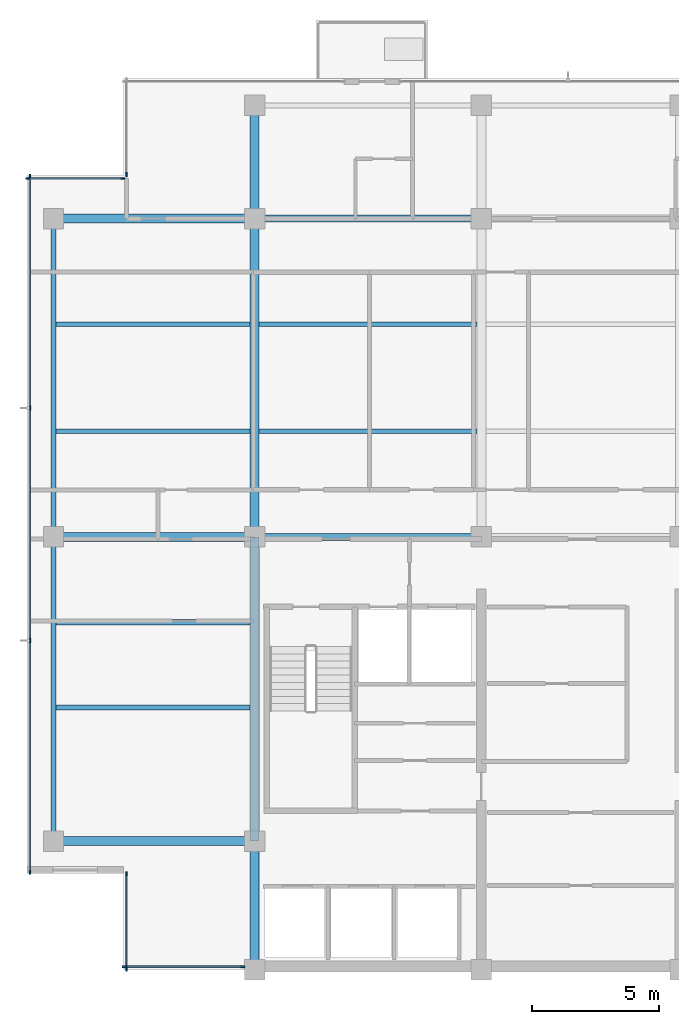
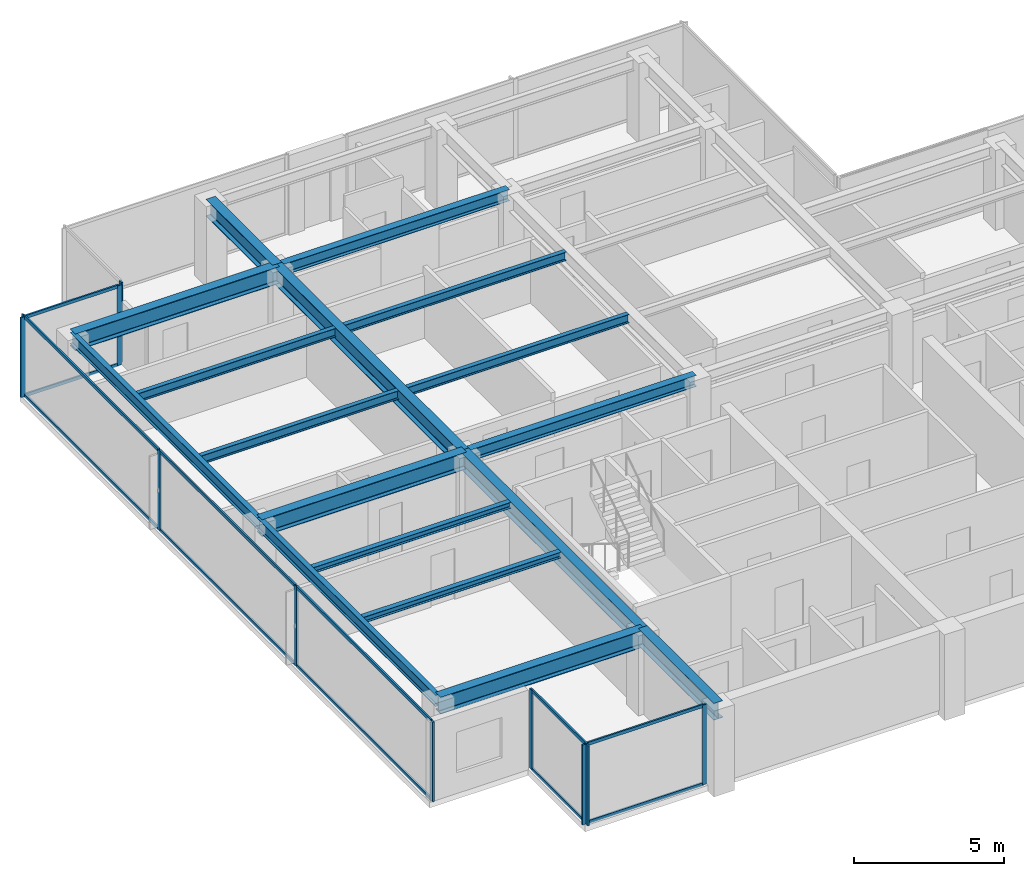
# One storey, part 2 of 11: 23 members, 17 beams, 5 elements without a shape of their own.
"""IFC4 building model written with IfcOpenShell, lengths in metres."""

from ifc_helpers import new_model, si_unit, direction, frame, origin, origin_2d, place, context, subcontext, project, spatial, rectangle, i_section, extrude, material, layer, layer_set, material_profile, profile_set, type_object, element, aggregate, save


model = new_model("IFC4")

# Units and contexts
model_context = context("Model", 3, precision=1e-05, world=origin(), true_north=direction((0.0, 1.0)))
body_context = subcontext(model_context, "Body", "Model", "MODEL_VIEW")
ifc_project = project(units=[si_unit("LENGTHUNIT", "METRE"), si_unit("AREAUNIT", "SQUARE_METRE"), si_unit("VOLUMEUNIT", "CUBIC_METRE"), si_unit("PLANEANGLEUNIT", "RADIAN"), si_unit("MASSUNIT", "GRAM", prefix="KILO")], contexts=[model_context])

# Site, building, storey
site_placement = place(None, origin())
site = spatial("IfcSite", under=ifc_project, at=site_placement, CompositionType="ELEMENT")
building_placement = place(site_placement, origin())
building = spatial("IfcBuilding", under=site, at=building_placement, Name="Qalmaran Belvedere Hotel", CompositionType="ELEMENT")
storey_placement = place(building_placement, frame((0.0, 0.0, 273.89990234375)))
storey = spatial("IfcBuildingStorey", under=building, at=storey_placement, Name="L71", CompositionType="ELEMENT", Elevation=273.89990234375)

# Beams
ifc_material_1 = material(Name="Steel S355JR", Category="steel")
ifc_material_profile_1 = material_profile(ifc_material_1, i_section(OverallWidth=0.201904296875, OverallDepth=0.2470703125, WebThickness=0.00732421875, FlangeThickness=0.010986328125, FilletRadius=0.011962890625, at=origin_2d()), Name="W250X49")
ifc_profile_set_1 = profile_set([ifc_material_profile_1], Name="Steel S355JR")
beam_type_1 = type_object("IfcBeamType", Name="BM-JST-W250X49", PredefinedType="JOIST", material=ifc_profile_set_1)
for number, where, z_axis, x_axis, name in (
    (1, (12.493896484375, 13.800048828125, 3.13671875), (1.0, 0.0, 0.0), (0.0, 1.0, 0.0), "L71 West Wing Joist 031"),
    (2, (12.493896484375, 17.14990234375, 3.13671875), (1.0, 0.0, 0.0), (0.0, 1.0, 0.0), "L71 West Wing Joist 033"),
):
    element("IfcBeam", number, at=place(storey_placement, frame(where, z_axis=z_axis, x_axis=x_axis)), inside=storey, type_object=beam_type_1, Name=name, PredefinedType="JOIST", context=body_context, shape_type="SweptSolid", body=[
        extrude(i_section(OverallWidth=0.201904296875, OverallDepth=0.2470703125, WebThickness=0.00732421875, FlangeThickness=0.010986328125, FilletRadius=0.011962890625, at=origin_2d()), origin(), (0.0, 0.0, 1.0), 7.630615234375),
    ])
ifc_material_profile_2 = material_profile(ifc_material_1, i_section(OverallWidth=0.172119140625, OverallDepth=0.35791015625, WebThickness=0.0078125, FlangeThickness=0.01318359375, FilletRadius=0.014892578125, at=origin_2d()), Name="W360X57")
ifc_profile_set_2 = profile_set([ifc_material_profile_2], Name="Steel S355JR")
beam_type_2 = type_object("IfcBeamType", Name="BM-SB4-W360X57", PredefinedType="BEAM", material=ifc_profile_set_2)
beam_1_placement = place(storey_placement, frame((12.493896484375, 24.64990234375, 3.0810546875), z_axis=(1.0, 0.0, 0.0), x_axis=(0.0, 1.0, 0.0)))
element("IfcBeam", 3, at=beam_1_placement, inside=storey, type_object=beam_type_2, Name="L71 West Secondary Beam 024", PredefinedType="BEAM", context=body_context, shape_type="SweptSolid", body=[
    extrude(i_section(OverallWidth=0.172119140625, OverallDepth=0.35791015625, WebThickness=0.0078125, FlangeThickness=0.01318359375, FilletRadius=0.014892578125, at=origin_2d()), origin(), (0.0, 0.0, 1.0), 7.630615234375),
])
beam_2_placement = place(storey_placement, frame((20.4755859375, 24.64990234375, 3.0810546875), z_axis=(1.0, 0.0, 0.0), x_axis=(0.0, 1.0, 0.0)))
element("IfcBeam", 4, at=beam_2_placement, inside=storey, type_object=beam_type_2, Name="L71 Secondary Floor Beam 025", PredefinedType="BEAM", context=body_context, shape_type="SweptSolid", body=[
    extrude(i_section(OverallWidth=0.172119140625, OverallDepth=0.35791015625, WebThickness=0.0078125, FlangeThickness=0.01318359375, FilletRadius=0.014892578125, at=origin_2d()), origin(), (0.0, 0.0, 1.0), 8.548828125),
])
beam_3_placement = place(storey_placement, frame((12.493896484375, 28.85009765625, 3.0810546875), z_axis=(1.0, 0.0, 0.0), x_axis=(0.0, 1.0, 0.0)))
element("IfcBeam", 5, at=beam_3_placement, inside=storey, type_object=beam_type_2, Name="L71 West Secondary Beam 028", PredefinedType="BEAM", context=body_context, shape_type="SweptSolid", body=[
    extrude(i_section(OverallWidth=0.172119140625, OverallDepth=0.35791015625, WebThickness=0.0078125, FlangeThickness=0.01318359375, FilletRadius=0.014892578125, at=origin_2d()), origin(), (0.0, 0.0, 1.0), 7.630615234375),
])
beam_4_placement = place(storey_placement, frame((20.4755859375, 28.85009765625, 3.0810546875), z_axis=(1.0, 0.0, 0.0), x_axis=(0.0, 1.0, 0.0)))
element("IfcBeam", 6, at=beam_4_placement, inside=storey, type_object=beam_type_2, Name="L71 Secondary Floor Beam 029", PredefinedType="BEAM", context=body_context, shape_type="SweptSolid", body=[
    extrude(i_section(OverallWidth=0.172119140625, OverallDepth=0.35791015625, WebThickness=0.0078125, FlangeThickness=0.01318359375, FilletRadius=0.014892578125, at=origin_2d()), origin(), (0.0, 0.0, 1.0), 8.548828125),
])
ifc_material_profile_3 = material_profile(ifc_material_1, i_section(OverallWidth=0.19189453125, OverallDepth=0.462890625, WebThickness=0.010498046875, FlangeThickness=0.017578125, FilletRadius=0.01611328125, at=origin_2d()), Name="W460X89")
ifc_profile_set_3 = profile_set([ifc_material_profile_3], Name="Steel S355JR")
beam_type_3 = type_object("IfcBeamType", Name="BM-SP2-W460X89", PredefinedType="SPANDREL", material=ifc_profile_set_3)
beam_5_placement = place(storey_placement, frame((12.39990234375, 8.550048828125, 3.028564453125), z_axis=(0.0, 1.0, 0.0), x_axis=(-1.0, 0.0, 0.0)))
element("IfcBeam", 7, at=beam_5_placement, inside=storey, type_object=beam_type_3, Name="L71 Perimeter Spandrel 01", PredefinedType="SPANDREL", context=body_context, shape_type="SweptSolid", body=[
    extrude(i_section(OverallWidth=0.19189453125, OverallDepth=0.462890625, WebThickness=0.010498046875, FlangeThickness=0.017578125, FilletRadius=0.01611328125, at=origin_2d()), origin(), (0.0, 0.0, 1.0), 11.949951171875),
])
beam_6_placement = place(storey_placement, frame((12.39990234375, 20.5, 3.028564453125), z_axis=(0.0, 1.0, 0.0), x_axis=(-1.0, 0.0, 0.0)))
element("IfcBeam", 8, at=beam_6_placement, inside=storey, type_object=beam_type_3, Name="L71 Perimeter Spandrel 02", PredefinedType="SPANDREL", context=body_context, shape_type="SweptSolid", body=[
    extrude(i_section(OverallWidth=0.19189453125, OverallDepth=0.462890625, WebThickness=0.010498046875, FlangeThickness=0.017578125, FilletRadius=0.01611328125, at=origin_2d()), origin(), (0.0, 0.0, 1.0), 12.5),
])
ifc_material_profile_4 = material_profile(ifc_material_1, i_section(OverallWidth=0.35498046875, OverallDepth=0.695068359375, WebThickness=0.015380859375, FlangeThickness=0.02490234375, FilletRadius=0.02197265625, at=origin_2d()), Name="W690X217")
ifc_profile_set_4 = profile_set([ifc_material_profile_4], Name="Steel S355JR")
beam_type_4 = type_object("IfcBeamType", Name="BM-Z1-W690X217", PredefinedType="USERDEFINED", material=ifc_profile_set_4)
beam_7_placement = place(storey_placement, frame((20.300048828125, 20.5, 2.91259765625), z_axis=(0.0, 1.0, 0.0), x_axis=(-1.0, 0.0, 0.0)))
element("IfcBeam", 9, at=beam_7_placement, inside=storey, type_object=beam_type_4, Name="L71 Mid-Plate N-S Girder 11", ObjectType="GIRDER", PredefinedType="USERDEFINED", context=body_context, shape_type="SweptSolid", body=[
    extrude(i_section(OverallWidth=0.35498046875, OverallDepth=0.695068359375, WebThickness=0.015380859375, FlangeThickness=0.02490234375, FilletRadius=0.02197265625, at=origin_2d()), origin(), (0.0, 0.0, 1.0), 12.5),
])
beam_8_placement = place(storey_placement, frame((20.300048828125, 33.0, 2.91259765625), z_axis=(0.0, 1.0, 0.0), x_axis=(-1.0, 0.0, 0.0)))
element("IfcBeam", 10, at=beam_8_placement, inside=storey, type_object=beam_type_4, Name="L71 North Bay Girder 12", ObjectType="GIRDER", PredefinedType="USERDEFINED", context=body_context, shape_type="SweptSolid", body=[
    extrude(i_section(OverallWidth=0.35498046875, OverallDepth=0.695068359375, WebThickness=0.015380859375, FlangeThickness=0.02490234375, FilletRadius=0.02197265625, at=origin_2d()), origin(), (0.0, 0.0, 1.0), 4.449951171875),
])
for number, where, z_axis, x_axis, name in (
    (11, (12.39990234375, 8.550048828125, 2.91259765625), (1.0, 0.0, 0.0), (0.0, 1.0, 0.0), "L71 West Wing Girder 19"),
    (12, (12.39990234375, 20.5, 2.91259765625), (1.0, 0.0, 0.0), (0.0, 1.0, 0.0), "L71 West Wing Girder 20"),
    (13, (12.39990234375, 33.0, 2.91259765625), (1.0, 0.0, 0.0), (0.0, 1.0, 0.0), "L71 West Wing Girder 21"),
):
    element("IfcBeam", number, at=place(storey_placement, frame(where, z_axis=z_axis, x_axis=x_axis)), inside=storey, type_object=beam_type_4, Name=name, ObjectType="GIRDER", PredefinedType="USERDEFINED", context=body_context, shape_type="SweptSolid", body=[
        extrude(i_section(OverallWidth=0.35498046875, OverallDepth=0.695068359375, WebThickness=0.015380859375, FlangeThickness=0.02490234375, FilletRadius=0.02197265625, at=origin_2d()), origin(), (0.0, 0.0, 1.0), 7.900146484375),
    ])
beam_9_placement = place(storey_placement, frame((20.300048828125, 3.5, 2.91259765625), z_axis=(0.0, 1.0, 0.0), x_axis=(-1.0, 0.0, 0.0)))
element("IfcBeam", 14, at=beam_9_placement, inside=storey, type_object=beam_type_4, Name="L71 West Core Edge Girder A", ObjectType="GIRDER", PredefinedType="USERDEFINED", context=body_context, shape_type="SweptSolid", body=[
    extrude(i_section(OverallWidth=0.35498046875, OverallDepth=0.695068359375, WebThickness=0.015380859375, FlangeThickness=0.02490234375, FilletRadius=0.02197265625, at=origin_2d()), origin(), (0.0, 0.0, 1.0), 5.050048828125),
])
beam_10_placement = place(storey_placement, frame((20.300048828125, 8.550048828125, 2.91259765625), z_axis=(0.0, 1.0, 0.0), x_axis=(-1.0, 0.0, 0.0)))
element("IfcBeam", 15, at=beam_10_placement, inside=storey, type_object=beam_type_4, Name="L71 West Core Edge Girder B", ObjectType="GIRDER", PredefinedType="USERDEFINED", context=body_context, shape_type="SweptSolid", body=[
    extrude(i_section(OverallWidth=0.35498046875, OverallDepth=0.695068359375, WebThickness=0.015380859375, FlangeThickness=0.02490234375, FilletRadius=0.02197265625, at=origin_2d()), origin(), (0.0, 0.0, 1.0), 11.949951171875),
])
ifc_material_profile_5 = material_profile(ifc_material_1, i_section(OverallWidth=0.280029296875, OverallDepth=0.462890625, WebThickness=0.0107421875, FlangeThickness=0.017333984375, FilletRadius=0.01611328125, at=origin_2d()), Name="W460X113")
ifc_profile_set_5 = profile_set([ifc_material_profile_5], Name="Steel S355JR")
beam_type_5 = type_object("IfcBeamType", Name="BM-Z5-W460X113", PredefinedType="USERDEFINED", material=ifc_profile_set_5)
for number, where, z_axis, x_axis, name in (
    (16, (20.300048828125, 20.5, 3.028564453125), (1.0, 0.0, 0.0), (0.0, 1.0, 0.0), "L71 Interior E-W Girder 06"),
    (17, (20.300048828125, 33.0, 3.028564453125), (1.0, 0.0, 0.0), (0.0, 1.0, 0.0), "L71 Interior E-W Girder 09"),
):
    element("IfcBeam", number, at=place(storey_placement, frame(where, z_axis=z_axis, x_axis=x_axis)), inside=storey, type_object=beam_type_5, Name=name, ObjectType="GIRDER", PredefinedType="USERDEFINED", context=body_context, shape_type="SweptSolid", body=[
        extrude(i_section(OverallWidth=0.280029296875, OverallDepth=0.462890625, WebThickness=0.0107421875, FlangeThickness=0.017333984375, FilletRadius=0.01611328125, at=origin_2d()), origin(), (0.0, 0.0, 1.0), 8.89990234375),
    ])

# Curtain wall, members
ifc_material_2 = material(Name="Anodised Bronze Aluminium", Category="aluminium")
ifc_layer = layer(ifc_material_2, 0.18505859375, Name="Anodised Bronze Aluminium")
ifc_layer_set = layer_set([ifc_layer], Name="Anodised Bronze Aluminium")
curtain_wall_type = type_object("IfcCurtainWallType", Name="CW6-TOWER-SKY", PredefinedType="NOTDEFINED", material=ifc_layer_set)
curtain_wall_1_placement = place(storey_placement, origin())
curtain_wall_1 = element("IfcCurtainWall", 18, at=curtain_wall_1_placement, inside=storey, type_object=curtain_wall_type, Name="L71 Curtain Wall CW6", PredefinedType="NOTDEFINED")
ifc_material_profile_6 = material_profile(ifc_material_2, rectangle(XDim=0.06494140625, YDim=0.1650390625, at=origin_2d()), Name="CWM65X165")
ifc_profile_set_6 = profile_set([ifc_material_profile_6], Name="Anodised Bronze Aluminium")
member_type_1 = type_object("IfcMemberType", Name="CWM-65X165", PredefinedType="MULLION", material=ifc_profile_set_6)
member_1_placement = place(storey_placement, frame((15.1826171875, 3.6201171875, 0.0), z_axis=(0.0, 0.0, 1.0), x_axis=(0.0, 1.0, 0.0)))
member_1 = element("IfcMember", 19, at=member_1_placement, type_object=member_type_1, Name="CW6 mullion 1", PredefinedType="MULLION", context=body_context, shape_type="SweptSolid", body=[
    extrude(rectangle(XDim=0.06494140625, YDim=0.1650390625, at=origin_2d()), origin(), (0.0, 0.0, 1.0), 3.260009765625),
])
member_2_placement = place(storey_placement, frame((19.827392578125, 3.6201171875, 0.0), z_axis=(0.0, 0.0, 1.0), x_axis=(0.0, 1.0, 0.0)))
member_2 = element("IfcMember", 20, at=member_2_placement, type_object=member_type_1, Name="CW6 mullion 2", PredefinedType="MULLION", context=body_context, shape_type="SweptSolid", body=[
    extrude(rectangle(XDim=0.06494140625, YDim=0.1650390625, at=origin_2d()), origin(), (0.0, 0.0, 1.0), 3.260009765625),
])

# Curtain wall, member
curtain_wall_2_placement = place(storey_placement, origin())
curtain_wall_2 = element("IfcCurtainWall", 21, at=curtain_wall_2_placement, inside=storey, type_object=curtain_wall_type, Name="L71 Curtain Wall CW6", PredefinedType="NOTDEFINED")
member_3_placement = place(storey_placement, frame((15.27001953125, 34.732421875, 0.0), z_axis=(0.0, 0.0, 1.0), x_axis=(1.0, 0.0, 0.0)))
member_3 = element("IfcMember", 22, at=member_3_placement, type_object=member_type_1, Name="CW6 mullion 2", PredefinedType="MULLION", context=body_context, shape_type="SweptSolid", body=[
    extrude(rectangle(XDim=0.06494140625, YDim=0.1650390625, at=origin_2d()), origin(), (0.0, 0.0, 1.0), 3.260009765625),
])
aggregate(curtain_wall_2, [member_3])

# Curtain wall, members
curtain_wall_3_placement = place(storey_placement, origin())
curtain_wall_3 = element("IfcCurtainWall", 23, at=curtain_wall_3_placement, inside=storey, type_object=curtain_wall_type, Name="L71 Curtain Wall CW6", PredefinedType="NOTDEFINED")
member_4_placement = place(storey_placement, frame((15.117431640625, 34.580078125, 0.0), z_axis=(0.0, 0.0, 1.0), x_axis=(0.0, -1.0, 0.0)))
member_4 = element("IfcMember", 24, at=member_4_placement, type_object=member_type_1, Name="CW6 mullion 1", PredefinedType="MULLION", context=body_context, shape_type="SweptSolid", body=[
    extrude(rectangle(XDim=0.06494140625, YDim=0.1650390625, at=origin_2d()), origin(), (0.0, 0.0, 1.0), 3.260009765625),
])
member_5_placement = place(storey_placement, frame((11.382568359375, 34.580078125, 0.0), z_axis=(0.0, 0.0, 1.0), x_axis=(0.0, -1.0, 0.0)))
member_5 = element("IfcMember", 25, at=member_5_placement, type_object=member_type_1, Name="CW6 mullion 2", PredefinedType="MULLION", context=body_context, shape_type="SweptSolid", body=[
    extrude(rectangle(XDim=0.06494140625, YDim=0.1650390625, at=origin_2d()), origin(), (0.0, 0.0, 1.0), 3.260009765625),
])

curtain_wall_4_placement = place(storey_placement, origin())
curtain_wall_4 = element("IfcCurtainWall", 26, at=curtain_wall_4_placement, inside=storey, type_object=curtain_wall_type, Name="L71 Curtain Wall CW6", PredefinedType="NOTDEFINED")
member_6_placement = place(storey_placement, frame((11.469970703125, 34.66748046875, 0.0), z_axis=(0.0, 0.0, 1.0), x_axis=(1.0, 0.0, 0.0)))
member_6 = element("IfcMember", 27, at=member_6_placement, type_object=member_type_1, Name="CW6 mullion 1", PredefinedType="MULLION", context=body_context, shape_type="SweptSolid", body=[
    extrude(rectangle(XDim=0.06494140625, YDim=0.1650390625, at=origin_2d()), origin(), (0.0, 0.0, 1.0), 3.260009765625),
])
member_7_placement = place(storey_placement, frame((11.469970703125, 25.566650390625, 0.0), z_axis=(0.0, 0.0, 1.0), x_axis=(1.0, 0.0, 0.0)))
member_7 = element("IfcMember", 28, at=member_7_placement, type_object=member_type_1, Name="CW6 mullion 2", PredefinedType="MULLION", context=body_context, shape_type="SweptSolid", body=[
    extrude(rectangle(XDim=0.06494140625, YDim=0.1650390625, at=origin_2d()), origin(), (0.0, 0.0, 1.0), 3.260009765625),
])
member_8_placement = place(storey_placement, frame((11.469970703125, 16.433349609375, 0.0), z_axis=(0.0, 0.0, 1.0), x_axis=(1.0, 0.0, 0.0)))
member_8 = element("IfcMember", 29, at=member_8_placement, type_object=member_type_1, Name="CW6 mullion 3", PredefinedType="MULLION", context=body_context, shape_type="SweptSolid", body=[
    extrude(rectangle(XDim=0.06494140625, YDim=0.1650390625, at=origin_2d()), origin(), (0.0, 0.0, 1.0), 3.260009765625),
])
member_9_placement = place(storey_placement, frame((11.469970703125, 7.33251953125, 0.0), z_axis=(0.0, 0.0, 1.0), x_axis=(1.0, 0.0, 0.0)))
member_9 = element("IfcMember", 30, at=member_9_placement, type_object=member_type_1, Name="CW6 mullion 4", PredefinedType="MULLION", context=body_context, shape_type="SweptSolid", body=[
    extrude(rectangle(XDim=0.06494140625, YDim=0.1650390625, at=origin_2d()), origin(), (0.0, 0.0, 1.0), 3.260009765625),
])

curtain_wall_5_placement = place(storey_placement, origin())
curtain_wall_5 = element("IfcCurtainWall", 31, at=curtain_wall_5_placement, inside=storey, type_object=curtain_wall_type, Name="L71 Curtain Wall CW6", PredefinedType="NOTDEFINED")
member_10_placement = place(storey_placement, frame((15.27001953125, 7.267578125, 0.0), z_axis=(0.0, 0.0, 1.0), x_axis=(1.0, 0.0, 0.0)))
member_10 = element("IfcMember", 32, at=member_10_placement, type_object=member_type_1, Name="CW6 mullion 1", PredefinedType="MULLION", context=body_context, shape_type="SweptSolid", body=[
    extrude(rectangle(XDim=0.06494140625, YDim=0.1650390625, at=origin_2d()), origin(), (0.0, 0.0, 1.0), 3.260009765625),
])
member_11_placement = place(storey_placement, frame((15.27001953125, 3.532470703125, 0.0), z_axis=(0.0, 0.0, 1.0), x_axis=(1.0, 0.0, 0.0)))
member_11 = element("IfcMember", 33, at=member_11_placement, type_object=member_type_1, Name="CW6 mullion 2", PredefinedType="MULLION", context=body_context, shape_type="SweptSolid", body=[
    extrude(rectangle(XDim=0.06494140625, YDim=0.1650390625, at=origin_2d()), origin(), (0.0, 0.0, 1.0), 3.260009765625),
])

# Member
ifc_material_profile_7 = material_profile(ifc_material_2, rectangle(XDim=0.06494140625, YDim=0.1298828125, at=origin_2d()), Name="CWT65X130")
ifc_profile_set_7 = profile_set([ifc_material_profile_7], Name="Anodised Bronze Aluminium")
member_type_2 = type_object("IfcMemberType", Name="CWT-65X130", PredefinedType="USERDEFINED", material=ifc_profile_set_7)
member_12_placement = place(storey_placement, frame((15.215087890625, 3.6201171875, 0.03271484375), z_axis=(1.0, 0.0, 0.0), x_axis=(0.0, 1.0, 0.0)))
member_12 = element("IfcMember", 34, at=member_12_placement, type_object=member_type_2, Name="CW6 transom 1.1", ObjectType="TRANSOM", PredefinedType="USERDEFINED", context=body_context, shape_type="SweptSolid", body=[
    extrude(rectangle(XDim=0.06494140625, YDim=0.1298828125, at=origin_2d()), origin(), (0.0, 0.0, 1.0), 4.579833984375),
])

member_13_placement = place(storey_placement, frame((15.215087890625, 3.6201171875, 3.2275390625), z_axis=(1.0, 0.0, 0.0), x_axis=(0.0, 1.0, 0.0)))
member_13 = element("IfcMember", 35, at=member_13_placement, type_object=member_type_2, Name="CW6 transom 1.2", ObjectType="TRANSOM", PredefinedType="USERDEFINED", context=body_context, shape_type="SweptSolid", body=[
    extrude(rectangle(XDim=0.06494140625, YDim=0.1298828125, at=origin_2d()), origin(), (0.0, 0.0, 1.0), 4.579833984375),
])

aggregate(curtain_wall_1, [member_1, member_2, member_12, member_13])

member_14_placement = place(storey_placement, frame((15.0849609375, 34.580078125, 0.03271484375), z_axis=(-1.0, 0.0, 0.0), x_axis=(0.0, -1.0, 0.0)))
member_14 = element("IfcMember", 36, at=member_14_placement, type_object=member_type_2, Name="CW6 transom 1.1", ObjectType="TRANSOM", PredefinedType="USERDEFINED", context=body_context, shape_type="SweptSolid", body=[
    extrude(rectangle(XDim=0.06494140625, YDim=0.1298828125, at=origin_2d()), origin(), (0.0, 0.0, 1.0), 3.669921875),
])

member_15_placement = place(storey_placement, frame((15.0849609375, 34.580078125, 3.2275390625), z_axis=(-1.0, 0.0, 0.0), x_axis=(0.0, -1.0, 0.0)))
member_15 = element("IfcMember", 37, at=member_15_placement, type_object=member_type_2, Name="CW6 transom 1.2", ObjectType="TRANSOM", PredefinedType="USERDEFINED", context=body_context, shape_type="SweptSolid", body=[
    extrude(rectangle(XDim=0.06494140625, YDim=0.1298828125, at=origin_2d()), origin(), (0.0, 0.0, 1.0), 3.669921875),
])

aggregate(curtain_wall_3, [member_4, member_5, member_14, member_15])

member_16_placement = place(storey_placement, frame((11.469970703125, 34.635009765625, 0.03271484375), z_axis=(0.0, -1.0, 0.0), x_axis=(1.0, 0.0, 0.0)))
member_16 = element("IfcMember", 38, at=member_16_placement, type_object=member_type_2, Name="CW6 transom 1.1", ObjectType="TRANSOM", PredefinedType="USERDEFINED", context=body_context, shape_type="SweptSolid", body=[
    extrude(rectangle(XDim=0.06494140625, YDim=0.1298828125, at=origin_2d()), origin(), (0.0, 0.0, 1.0), 9.035888671875),
])

member_17_placement = place(storey_placement, frame((11.469970703125, 34.635009765625, 3.2275390625), z_axis=(0.0, -1.0, 0.0), x_axis=(1.0, 0.0, 0.0)))
member_17 = element("IfcMember", 39, at=member_17_placement, type_object=member_type_2, Name="CW6 transom 1.2", ObjectType="TRANSOM", PredefinedType="USERDEFINED", context=body_context, shape_type="SweptSolid", body=[
    extrude(rectangle(XDim=0.06494140625, YDim=0.1298828125, at=origin_2d()), origin(), (0.0, 0.0, 1.0), 9.035888671875),
])

member_18_placement = place(storey_placement, frame((11.469970703125, 25.5341796875, 0.03271484375), z_axis=(0.0, -1.0, 0.0), x_axis=(1.0, 0.0, 0.0)))
member_18 = element("IfcMember", 40, at=member_18_placement, type_object=member_type_2, Name="CW6 transom 2.1", ObjectType="TRANSOM", PredefinedType="USERDEFINED", context=body_context, shape_type="SweptSolid", body=[
    extrude(rectangle(XDim=0.06494140625, YDim=0.1298828125, at=origin_2d()), origin(), (0.0, 0.0, 1.0), 9.068359375),
])

member_19_placement = place(storey_placement, frame((11.469970703125, 25.5341796875, 3.2275390625), z_axis=(0.0, -1.0, 0.0), x_axis=(1.0, 0.0, 0.0)))
member_19 = element("IfcMember", 41, at=member_19_placement, type_object=member_type_2, Name="CW6 transom 2.2", ObjectType="TRANSOM", PredefinedType="USERDEFINED", context=body_context, shape_type="SweptSolid", body=[
    extrude(rectangle(XDim=0.06494140625, YDim=0.1298828125, at=origin_2d()), origin(), (0.0, 0.0, 1.0), 9.068359375),
])

member_20_placement = place(storey_placement, frame((11.469970703125, 16.40087890625, 0.03271484375), z_axis=(0.0, -1.0, 0.0), x_axis=(1.0, 0.0, 0.0)))
member_20 = element("IfcMember", 42, at=member_20_placement, type_object=member_type_2, Name="CW6 transom 3.1", ObjectType="TRANSOM", PredefinedType="USERDEFINED", context=body_context, shape_type="SweptSolid", body=[
    extrude(rectangle(XDim=0.06494140625, YDim=0.1298828125, at=origin_2d()), origin(), (0.0, 0.0, 1.0), 9.035888671875),
])

member_21_placement = place(storey_placement, frame((11.469970703125, 16.40087890625, 3.2275390625), z_axis=(0.0, -1.0, 0.0), x_axis=(1.0, 0.0, 0.0)))
member_21 = element("IfcMember", 43, at=member_21_placement, type_object=member_type_2, Name="CW6 transom 3.2", ObjectType="TRANSOM", PredefinedType="USERDEFINED", context=body_context, shape_type="SweptSolid", body=[
    extrude(rectangle(XDim=0.06494140625, YDim=0.1298828125, at=origin_2d()), origin(), (0.0, 0.0, 1.0), 9.035888671875),
])

aggregate(curtain_wall_4, [member_6, member_7, member_8, member_9, member_16, member_17, member_18, member_19, member_20, member_21])

member_22_placement = place(storey_placement, frame((15.27001953125, 7.235107421875, 0.03271484375), z_axis=(0.0, -1.0, 0.0), x_axis=(1.0, 0.0, 0.0)))
member_22 = element("IfcMember", 44, at=member_22_placement, type_object=member_type_2, Name="CW6 transom 1.1", ObjectType="TRANSOM", PredefinedType="USERDEFINED", context=body_context, shape_type="SweptSolid", body=[
    extrude(rectangle(XDim=0.06494140625, YDim=0.1298828125, at=origin_2d()), origin(), (0.0, 0.0, 1.0), 3.670166015625),
])

member_23_placement = place(storey_placement, frame((15.27001953125, 7.235107421875, 3.2275390625), z_axis=(0.0, -1.0, 0.0), x_axis=(1.0, 0.0, 0.0)))
member_23 = element("IfcMember", 45, at=member_23_placement, type_object=member_type_2, Name="CW6 transom 1.2", ObjectType="TRANSOM", PredefinedType="USERDEFINED", context=body_context, shape_type="SweptSolid", body=[
    extrude(rectangle(XDim=0.06494140625, YDim=0.1298828125, at=origin_2d()), origin(), (0.0, 0.0, 1.0), 3.670166015625),
])

aggregate(curtain_wall_5, [member_10, member_11, member_22, member_23])

save(model, "model.ifc")
